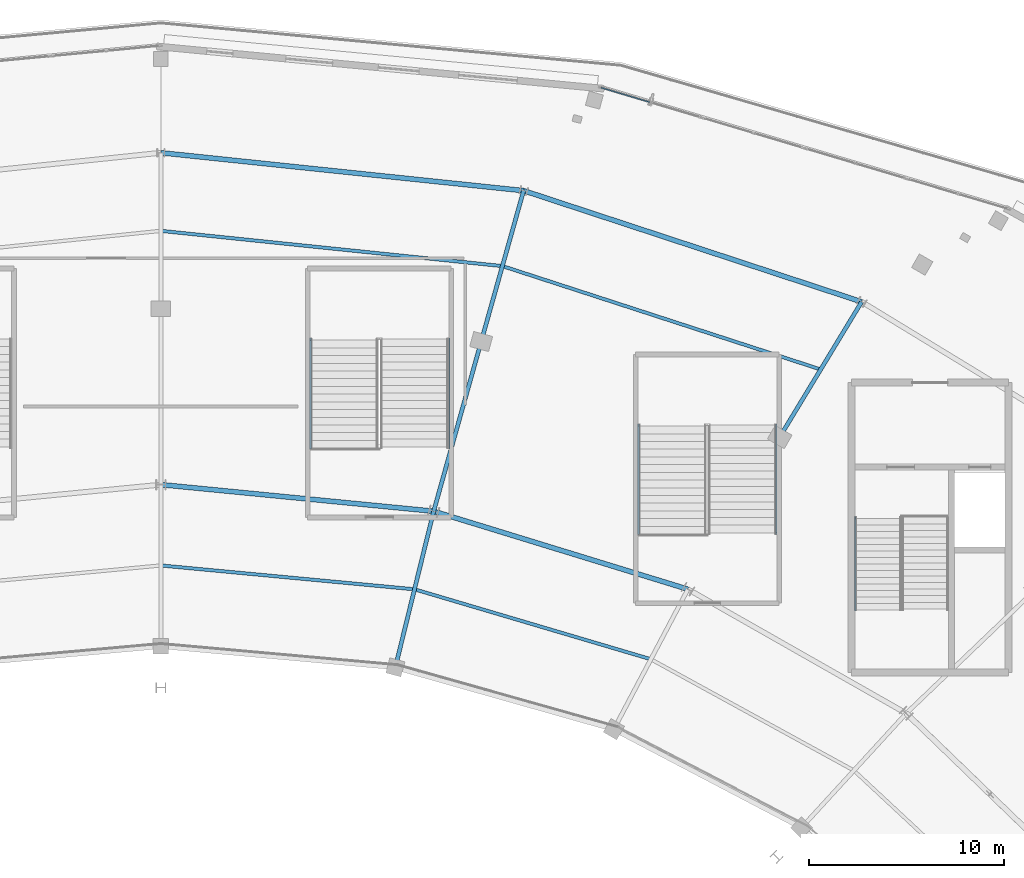
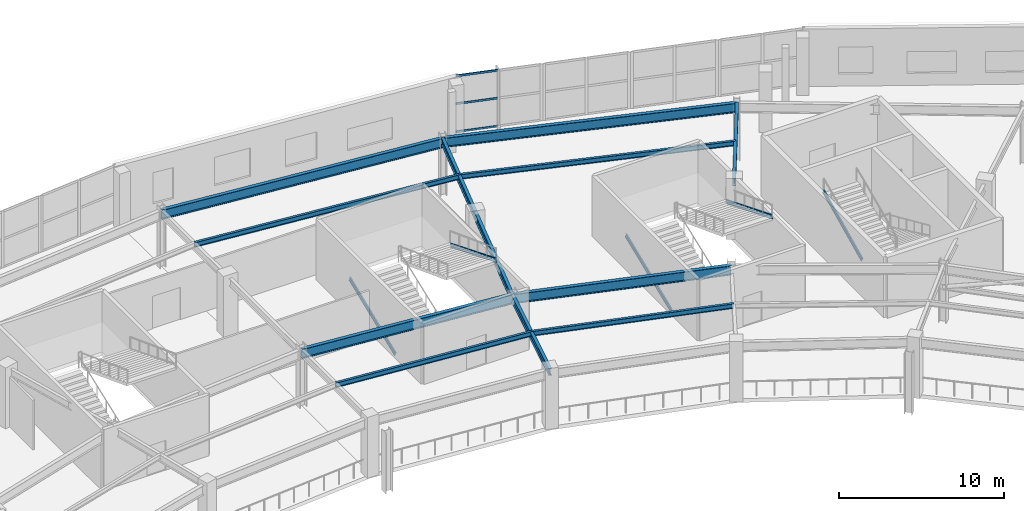
# One storey, part 37 of 107: 12 beams, 8 members, 1 element without a shape of its own.
"""IFC4 building model written with IfcOpenShell, lengths in metres."""

from ifc_helpers import new_model, si_unit, direction, frame, origin, origin_2d, place, context, subcontext, project, spatial, hollow_rectangle, i_section, extrude, material, layer, layer_set, material_profile, profile_set, type_object, element, aggregate, save


model = new_model("IFC4")

# Units and contexts
model_context = context("Model", 3, precision=1e-05, world=origin(), true_north=direction((0.0, 1.0)))
body_context = subcontext(model_context, "Body", "Model", "MODEL_VIEW")
ifc_project = project(units=[si_unit("LENGTHUNIT", "METRE"), si_unit("AREAUNIT", "SQUARE_METRE"), si_unit("VOLUMEUNIT", "CUBIC_METRE"), si_unit("PLANEANGLEUNIT", "RADIAN"), si_unit("MASSUNIT", "GRAM", prefix="KILO")], contexts=[model_context])

# Site, building, storey
site_placement = place(None, origin())
site = spatial("IfcSite", under=ifc_project, at=site_placement, CompositionType="ELEMENT")
building_placement = place(site_placement, origin())
building = spatial("IfcBuilding", under=site, at=building_placement, Name="Kalgoora Escarpment Arena", CompositionType="ELEMENT")
storey_placement = place(building_placement, frame((0.0, 0.0, 5.39990234375)))
storey = spatial("IfcBuildingStorey", under=building, at=storey_placement, Name="L01", CompositionType="ELEMENT", Elevation=5.39990234375)

# Beams
ifc_material_1 = material(Name="Structural steel AS/NZS 3679 (300 MPa)", Category="steel")
ifc_material_profile_1 = material_profile(ifc_material_1, i_section(OverallWidth=0.1708984375, OverallDepth=0.35205078125, WebThickness=0.0068359375, FlangeThickness=0.009765625, at=origin_2d()))
ifc_profile_set_1 = profile_set([ifc_material_profile_1], Name="Structural steel AS/NZS 3679 (300 MPa)")
beam_type_1 = type_object("IfcBeamType", Name="BM-BEAM-360UB44.7", PredefinedType="BEAM", material=ifc_profile_set_1)
beam_1_placement = place(storey_placement, frame((117.50244140625, 95.0556640625, 4.044189453125), z_axis=(-0.958914478104, 0.283695300775, 0.0), x_axis=(-0.283695300775, -0.958914478104, 0.0)))
element("IfcBeam", 1, at=beam_1_placement, inside=storey, type_object=beam_type_1, Name="L01 Concourse secondary ring beam 360UB44.7", PredefinedType="BEAM", context=body_context, shape_type="SweptSolid", body=[
    extrude(i_section(OverallWidth=0.1708984375, OverallDepth=0.35205078125, WebThickness=0.0068359375, FlangeThickness=0.009765625, at=origin_2d()), origin(), (0.0, 0.0, 1.0), 12.627197265625),
])
beam_2_placement = place(storey_placement, frame((126.199951171875, 109.8994140625, 4.044189453125), z_axis=(-0.951103123122, 0.308873516489, 0.0), x_axis=(-0.308873516489, -0.951103123122, 0.0)))
element("IfcBeam", 2, at=beam_2_placement, inside=storey, type_object=beam_type_1, Name="L01 Concourse secondary ring beam 360UB44.7", PredefinedType="BEAM", context=body_context, shape_type="SweptSolid", body=[
    extrude(i_section(OverallWidth=0.1708984375, OverallDepth=0.35205078125, WebThickness=0.0068359375, FlangeThickness=0.009765625, at=origin_2d()), origin(), (0.0, 0.0, 1.0), 17.141845703125),
])
beam_3_placement = place(storey_placement, frame((105.39404296875, 98.637939453125, 4.044189453125), z_axis=(-0.995605931387, 0.093642027892, 0.0), x_axis=(-0.093642027892, -0.995605931387, 0.0)))
element("IfcBeam", 3, at=beam_3_placement, inside=storey, type_object=beam_type_1, Name="L01 Concourse secondary ring beam 360UB44.7", PredefinedType="BEAM", context=body_context, shape_type="SweptSolid", body=[
    extrude(i_section(OverallWidth=0.1708984375, OverallDepth=0.35205078125, WebThickness=0.0068359375, FlangeThickness=0.009765625, at=origin_2d()), origin(), (0.0, 0.0, 1.0), 13.051513671875),
])
beam_4_placement = place(storey_placement, frame((109.896240234375, 115.194091796875, 4.044189453125), z_axis=(-0.99471538009, 0.10267089467, 0.0), x_axis=(-0.10267089467, -0.99471538009, 0.0)))
element("IfcBeam", 4, at=beam_4_placement, inside=storey, type_object=beam_type_1, Name="L01 Concourse secondary ring beam 360UB44.7", PredefinedType="BEAM", context=body_context, shape_type="SweptSolid", body=[
    extrude(i_section(OverallWidth=0.1708984375, OverallDepth=0.35205078125, WebThickness=0.0068359375, FlangeThickness=0.009765625, at=origin_2d()), origin(), (0.0, 0.0, 1.0), 17.58935546875),
])
ifc_material_2 = material(Name="Structural steel AS/NZS 3679 (300 MPa)", Category="steel")
ifc_material_profile_2 = material_profile(ifc_material_2, i_section(OverallWidth=0.208984375, OverallDepth=0.532958984375, WebThickness=0.01025390625, FlangeThickness=0.015625, at=origin_2d()))
ifc_profile_set_2 = profile_set([ifc_material_profile_2], Name="Structural steel AS/NZS 3679 (300 MPa)")
beam_type_2 = type_object("IfcBeamType", Name="BM-GIRDER-530UB92.4", PredefinedType="USERDEFINED", material=ifc_profile_set_2)
beam_5_placement = place(storey_placement, frame((124.10009765625, 106.435302734375, 3.95361328125), z_axis=(0.518407902139, 0.85513346736, 0.0), x_axis=(-0.85513346736, 0.518407902139, 0.0)))
element("IfcBeam", 5, at=beam_5_placement, inside=storey, type_object=beam_type_2, Name="L01 Radial concourse girder 530UB92.4", ObjectType="GIRDER", PredefinedType="USERDEFINED", context=body_context, shape_type="SweptSolid", body=[
    extrude(i_section(OverallWidth=0.208984375, OverallDepth=0.532958984375, WebThickness=0.01025390625, FlangeThickness=0.015625, at=origin_2d()), origin(), (0.0, 0.0, 1.0), 8.1015625),
])
beam_6_placement = place(storey_placement, frame((104.411865234375, 94.63916015625, 3.95361328125), z_axis=(0.238522773309, 0.971136904156, 0.0), x_axis=(-0.971136904156, 0.238522773309, 0.0)))
element("IfcBeam", 6, at=beam_6_placement, inside=storey, type_object=beam_type_2, Name="L01 Radial concourse girder 530UB92.4", ObjectType="GIRDER", PredefinedType="USERDEFINED", context=body_context, shape_type="SweptSolid", body=[
    extrude(i_section(OverallWidth=0.208984375, OverallDepth=0.532958984375, WebThickness=0.01025390625, FlangeThickness=0.015625, at=origin_2d()), origin(), (0.0, 0.0, 1.0), 8.235595703125),
])
beam_7_placement = place(storey_placement, frame((106.376220703125, 102.636962890625, 3.95361328125), z_axis=(0.269498512386, 0.963000805722, 0.0), x_axis=(-0.963000805722, 0.269498512386, 0.0)))
element("IfcBeam", 7, at=beam_7_placement, inside=storey, type_object=beam_type_2, Name="L01 Radial concourse girder 530UB92.4", ObjectType="GIRDER", PredefinedType="USERDEFINED", context=body_context, shape_type="SweptSolid", body=[
    extrude(i_section(OverallWidth=0.208984375, OverallDepth=0.532958984375, WebThickness=0.01025390625, FlangeThickness=0.015625, at=origin_2d()), origin(), (0.0, 0.0, 1.0), 9.02734375),
])
beam_8_placement = place(storey_placement, frame((108.80908203125, 111.330322265625, 3.95361328125), z_axis=(0.27082660355, 0.962628147734, 0.0), x_axis=(-0.962628147734, 0.27082660355, 0.0)))
element("IfcBeam", 8, at=beam_8_placement, inside=storey, type_object=beam_type_2, Name="L01 Radial concourse girder 530UB92.4", ObjectType="GIRDER", PredefinedType="USERDEFINED", context=body_context, shape_type="SweptSolid", body=[
    extrude(i_section(OverallWidth=0.208984375, OverallDepth=0.532958984375, WebThickness=0.01025390625, FlangeThickness=0.015625, at=origin_2d()), origin(), (0.0, 0.0, 1.0), 8.027587890625),
])
ifc_material_3 = material(Name="Structural steel AS/NZS 3679 (300 MPa)", Category="steel")
ifc_material_profile_3 = material_profile(ifc_material_3, i_section(OverallWidth=0.25, OverallDepth=0.699951171875, WebThickness=0.010009765625, FlangeThickness=0.02001953125, at=origin_2d()))
ifc_profile_set_3 = profile_set([ifc_material_profile_3], Name="Structural steel AS/NZS 3679 (300 MPa)")
beam_type_3 = type_object("IfcBeamType", Name="BM-GIRDER-700WB130", PredefinedType="USERDEFINED", material=ifc_profile_set_3)
beam_9_placement = place(storey_placement, frame((119.39990234375, 98.64111328125, 3.8701171875), z_axis=(-0.956014681671, 0.293318817038, 0.0), x_axis=(-0.293318817038, -0.956014681671, 0.0)))
element("IfcBeam", 9, at=beam_9_placement, inside=storey, type_object=beam_type_3, Name="L01 Circumferential concourse girder RMAIN 700WB130", ObjectType="GIRDER", PredefinedType="USERDEFINED", context=body_context, shape_type="SweptSolid", body=[
    extrude(i_section(OverallWidth=0.25, OverallDepth=0.699951171875, WebThickness=0.010009765625, FlangeThickness=0.02001953125, at=origin_2d()), origin(), (0.0, 0.0, 1.0), 13.622802734375),
])
beam_10_placement = place(storey_placement, frame((106.376220703125, 102.636962890625, 3.8701171875), z_axis=(-0.995278116569, 0.097064260569, 0.0), x_axis=(-0.097064260569, -0.995278116569, 0.0)))
element("IfcBeam", 10, at=beam_10_placement, inside=storey, type_object=beam_type_3, Name="L01 Circumferential concourse girder RMAIN 700WB130", ObjectType="GIRDER", PredefinedType="USERDEFINED", context=body_context, shape_type="SweptSolid", body=[
    extrude(i_section(OverallWidth=0.25, OverallDepth=0.699951171875, WebThickness=0.010009765625, FlangeThickness=0.02001953125, at=origin_2d()), origin(), (0.0, 0.0, 1.0), 14.042724609375),
])
ifc_material_4 = material(Name="Structural steel AS/NZS 3679 (300 MPa)", Category="steel")
ifc_material_profile_4 = material_profile(ifc_material_4, i_section(OverallWidth=0.25, OverallDepth=0.699951171875, WebThickness=0.010009765625, FlangeThickness=0.02001953125, at=origin_2d()))
ifc_profile_set_4 = profile_set([ifc_material_profile_4], Name="Structural steel AS/NZS 3679 (300 MPa)")
beam_type_4 = type_object("IfcBeamType", Name="BM-SPANDREL-700WB130", PredefinedType="SPANDREL", material=ifc_profile_set_4)
beam_11_placement = place(storey_placement, frame((128.300048828125, 113.36328125, 3.8701171875), z_axis=(-0.949954555117, 0.312388129115, 0.0), x_axis=(-0.312388129115, -0.949954555117, 0.0)))
element("IfcBeam", 11, at=beam_11_placement, inside=storey, type_object=beam_type_4, Name="L01 Circumferential concourse girder RCONC2 700WB130", PredefinedType="SPANDREL", context=body_context, shape_type="SweptSolid", body=[
    extrude(i_section(OverallWidth=0.25, OverallDepth=0.699951171875, WebThickness=0.010009765625, FlangeThickness=0.02001953125, at=origin_2d()), origin(), (0.0, 0.0, 1.0), 18.229248046875),
])
beam_12_placement = place(storey_placement, frame((110.983154296875, 119.057861328125, 3.8701171875), z_axis=(-0.994583146525, 0.103944045753, 0.0), x_axis=(-0.103944045753, -0.994583146525, 0.0)))
element("IfcBeam", 12, at=beam_12_placement, inside=storey, type_object=beam_type_4, Name="L01 Circumferential concourse girder RCONC2 700WB130", PredefinedType="SPANDREL", context=body_context, shape_type="SweptSolid", body=[
    extrude(i_section(OverallWidth=0.25, OverallDepth=0.699951171875, WebThickness=0.010009765625, FlangeThickness=0.02001953125, at=origin_2d()), origin(), (0.0, 0.0, 1.0), 18.6845703125),
])

# Curtain wall, members
ifc_material_5 = material(Name=" Champagne anodised aluminium & double-glazed low-E", Category="aluminium")
ifc_layer = layer(ifc_material_5, 0.154052734375)
ifc_layer_set = layer_set([ifc_layer], Name="CW-UNIT-06")
curtain_wall_type = type_object("IfcCurtainWallType", Name="CW-UNIT-06", PredefinedType="NOTDEFINED", material=ifc_layer_set)
curtain_wall_placement = place(storey_placement, origin())
curtain_wall = element("IfcCurtainWall", 13, at=curtain_wall_placement, inside=storey, type_object=curtain_wall_type, Name="L01 unitised facade curtain wall 025", PredefinedType="NOTDEFINED")
ifc_material_6 = material(Name="Anodised aluminium 6063-T6", Category="aluminium")
ifc_material_profile_5 = material_profile(ifc_material_6, hollow_rectangle(XDim=0.06005859375, YDim=0.14990234375, WallThickness=0.00341796875, at=origin_2d()))
ifc_profile_set_5 = profile_set([ifc_material_profile_5], Name="Anodised aluminium 6063-T6")
member_type_1 = type_object("IfcMemberType", Name="MEM-CW-TRAN-150", PredefinedType="USERDEFINED", material=ifc_profile_set_5)
member_1_placement = place(storey_placement, frame((114.9453125, 124.33349609375, 0.050048828125), z_axis=(0.958328584334, -0.285668206926, 0.0), x_axis=(0.285668206926, 0.958328584334, 0.0)))
member_1 = element("IfcMember", 14, at=member_1_placement, type_object=member_type_1, Name="CW-06 transom 1.1", ObjectType="TRANSOM", PredefinedType="USERDEFINED", context=body_context, shape_type="SweptSolid", body=[
    extrude(hollow_rectangle(XDim=0.06005859375, YDim=0.14990234375, WallThickness=0.00341796875, at=origin_2d()), origin(), (0.0, 0.0, 1.0), 2.6142578125),
])
member_2_placement = place(storey_placement, frame((114.9453125, 124.33349609375, 2.125), z_axis=(0.958328584334, -0.285668206926, 0.0), x_axis=(0.285668206926, 0.958328584334, 0.0)))
member_2 = element("IfcMember", 15, at=member_2_placement, type_object=member_type_1, Name="CW-06 transom 1.2", ObjectType="TRANSOM", PredefinedType="USERDEFINED", context=body_context, shape_type="SweptSolid", body=[
    extrude(hollow_rectangle(XDim=0.06005859375, YDim=0.14990234375, WallThickness=0.00341796875, at=origin_2d()), origin(), (0.0, 0.0, 1.0), 2.6142578125),
])
member_3_placement = place(storey_placement, frame((114.9453125, 124.33349609375, 4.18017578125), z_axis=(0.958328584334, -0.285668206926, 0.0), x_axis=(0.285668206926, 0.958328584334, 0.0)))
member_3 = element("IfcMember", 16, at=member_3_placement, type_object=member_type_1, Name="CW-06 transom 1.3", ObjectType="TRANSOM", PredefinedType="USERDEFINED", context=body_context, shape_type="SweptSolid", body=[
    extrude(hollow_rectangle(XDim=0.06005859375, YDim=0.14990234375, WallThickness=0.00341796875, at=origin_2d()), origin(), (0.0, 0.0, 1.0), 2.6142578125),
])
aggregate(curtain_wall, [member_1, member_2, member_3])

# Members
ifc_material_7 = material(Name="Structural steel AS/NZS 3679 (300 MPa)", Category="steel")
ifc_material_profile_6 = material_profile(ifc_material_7, i_section(OverallWidth=0.090087890625, OverallDepth=0.300048828125, WebThickness=0.008056640625, FlangeThickness=0.01611328125, at=origin_2d()))
ifc_profile_set_6 = profile_set([ifc_material_profile_6], Name="Structural steel AS/NZS 3679 (300 MPa)")
member_type_2 = type_object("IfcMemberType", Name="MEM-STRINGER-PFC", PredefinedType="STRINGER", material=ifc_profile_set_6)
member_4_placement = place(storey_placement, frame((127.969970703125, 97.590087890625, 2.210205078125), z_axis=(0.0, 0.902682652253, 0.430306901317), x_axis=(-1.0, 0.0, 0.0)))
element("IfcMember", 17, at=member_4_placement, inside=storey, type_object=member_type_2, Name="ST04 L01 steel stair stringer 2", PredefinedType="STRINGER", context=body_context, shape_type="SweptSolid", body=[
    extrude(i_section(OverallWidth=0.090087890625, OverallDepth=0.300048828125, WebThickness=0.008056640625, FlangeThickness=0.01611328125, at=origin_2d()), origin(), (0.0, 0.0, 1.0), 5.228759765625),
])
for number, where, z_axis, x_axis, name in (
    (18, (100.070068359375, 105.889892578125, -0.039794921875), (0.0, 0.926975796404, 0.375121144273), (-1.0, 0.0, 0.0), "ST11 L01 steel stair stringer 1"),
    (19, (107.1298828125, 111.449951171875, 2.210205078125), (0.0, -0.926975796404, 0.375121144273), (1.0, 0.0, 0.0), "ST11 L01 steel stair stringer 2"),
    (20, (116.8701171875, 101.489990234375, -0.039794921875), (0.0, 0.926975796404, 0.375121144273), (-1.0, 0.0, 0.0), "ST12 L01 steel stair stringer 1"),
    (21, (123.929931640625, 107.050048828125, 2.210205078125), (0.0, -0.926975796404, 0.375121144273), (1.0, 0.0, 0.0), "ST12 L01 steel stair stringer 2"),
):
    element("IfcMember", number, at=place(storey_placement, frame(where, z_axis=z_axis, x_axis=x_axis)), inside=storey, type_object=member_type_2, Name=name, PredefinedType="STRINGER", context=body_context, shape_type="SweptSolid", body=[
        extrude(i_section(OverallWidth=0.090087890625, OverallDepth=0.300048828125, WebThickness=0.008056640625, FlangeThickness=0.01611328125, at=origin_2d()), origin(), (0.0, 0.0, 1.0), 5.998046875),
    ])

save(model, "model.ifc")
